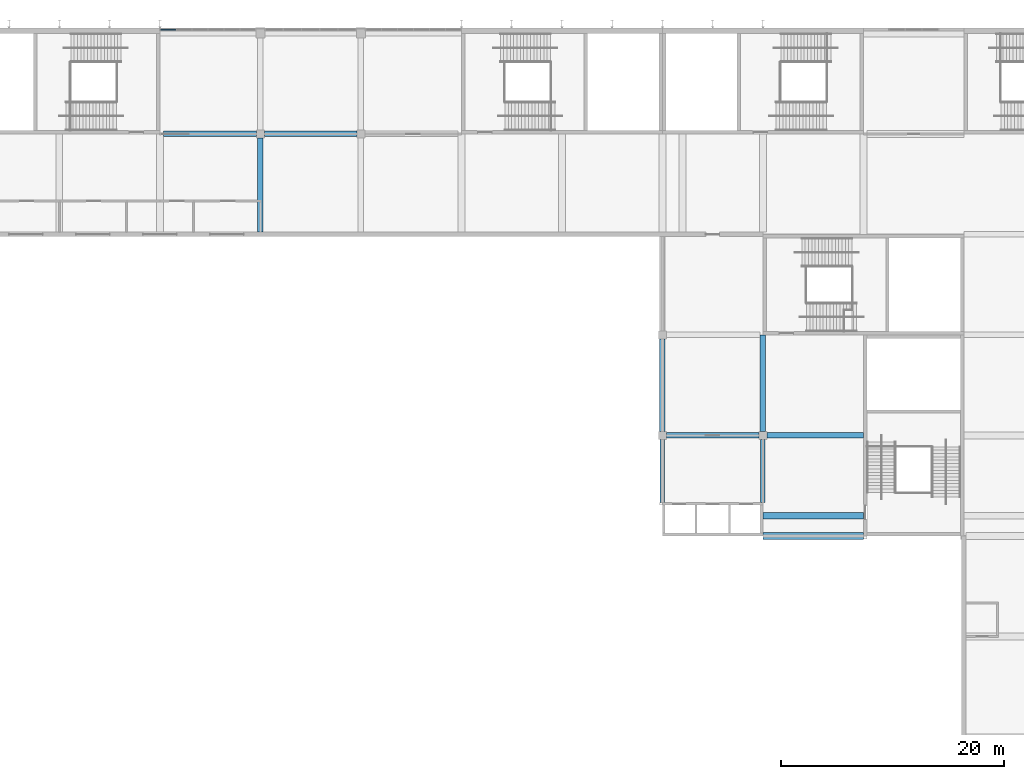
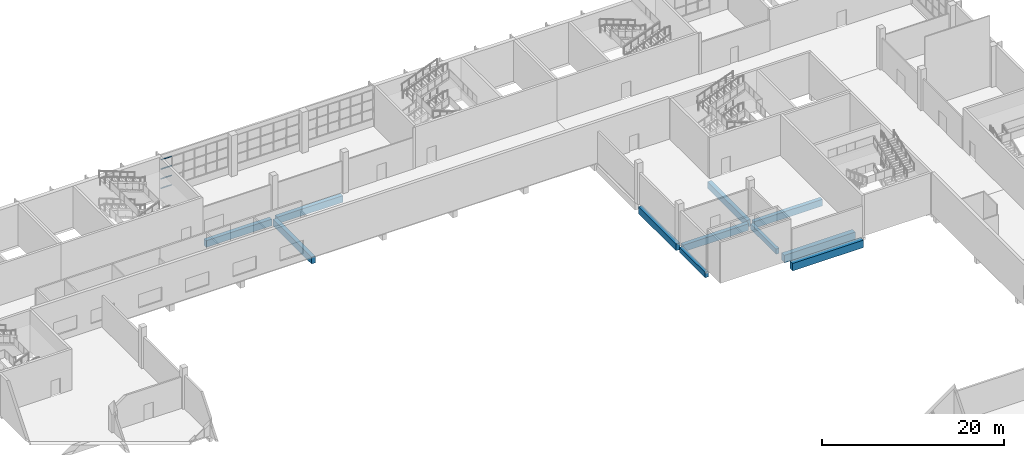
# One storey, part 17 of 84: 11 beams, 4 members, 1 element without a shape of its own.
"""IFC4 building model written with IfcOpenShell, lengths in metres."""

from ifc_helpers import new_model, si_unit, direction, frame, origin, origin_2d, place, context, subcontext, project, spatial, rectangle, extrude, material, material_profile, profile_set, type_object, element, aggregate, save


model = new_model("IFC4")

# Units and contexts
model_context = context("Model", 3, precision=1e-05, world=origin(), true_north=direction((0.0, 1.0)))
body_context = subcontext(model_context, "Body", "Model", "MODEL_VIEW")
ifc_project = project(units=[si_unit("LENGTHUNIT", "METRE"), si_unit("AREAUNIT", "SQUARE_METRE"), si_unit("VOLUMEUNIT", "CUBIC_METRE"), si_unit("PLANEANGLEUNIT", "RADIAN"), si_unit("MASSUNIT", "GRAM", prefix="KILO")], contexts=[model_context])

# Site, building, storey
site_placement = place(None, origin())
site = spatial("IfcSite", under=ifc_project, at=site_placement, CompositionType="ELEMENT")
building_placement = place(site_placement, origin())
building = spatial("IfcBuilding", under=site, at=building_placement, Name="Silverbay Arena", CompositionType="ELEMENT")
storey_placement = place(building_placement, frame((0.0, 0.0, 28.0)))
storey = spatial("IfcBuildingStorey", under=building, at=storey_placement, Name="L04", CompositionType="ELEMENT", Elevation=28.0)

# Beams
ifc_material_1 = material(Name="Concrete Grade C45", Category="concrete")
ifc_material_profile_1 = material_profile(ifc_material_1, rectangle(XDim=0.39990234375, YDim=0.699951171875, at=origin_2d()), Name="RC 400x700")
ifc_profile_set_1 = profile_set([ifc_material_profile_1], Name="Concrete Grade C45")
beam_type_1 = type_object("IfcBeamType", Name="RC beam 400x700", PredefinedType="BEAM", material=ifc_profile_set_1)
for number, where, z_axis, x_axis, name in (
    (1, (162.0, 102.0, -0.64990234375), (0.0, 1.0, 0.0), (-1.0, 0.0, 0.0), "Floor beam L04 131"),
    (2, (171.0, 102.0, -0.64990234375), (0.0, 1.0, 0.0), (-1.0, 0.0, 0.0), "Floor beam L04 140"),
):
    element("IfcBeam", number, at=place(storey_placement, frame(where, z_axis=z_axis, x_axis=x_axis)), inside=storey, type_object=beam_type_1, Name=name, PredefinedType="BEAM", context=body_context, shape_type="SweptSolid", body=[
        extrude(rectangle(XDim=0.39990234375, YDim=0.699951171875, at=origin_2d()), origin(), (0.0, 0.0, 1.0), 5.64990234375),
    ])
ifc_material_2 = material(Name="Concrete Grade C45", Category="concrete")
ifc_material_profile_2 = material_profile(ifc_material_2, rectangle(XDim=0.5, YDim=0.89990234375, at=origin_2d()), Name="RC 500x900")
ifc_profile_set_2 = profile_set([ifc_material_profile_2], Name="Concrete Grade C45")
beam_type_2 = type_object("IfcBeamType", Name="RC beam 500x900", PredefinedType="BEAM", material=ifc_profile_set_2)
beam_1_placement = place(storey_placement, frame((162.35009765625, 108.0, -0.75), z_axis=(1.0, 0.0, 0.0), x_axis=(0.0, 1.0, 0.0)))
element("IfcBeam", 3, at=beam_1_placement, inside=storey, type_object=beam_type_2, Name="Floor beam L04 054", PredefinedType="BEAM", context=body_context, shape_type="SweptSolid", body=[
    extrude(rectangle(XDim=0.5, YDim=0.89990234375, at=origin_2d()), origin(), (0.0, 0.0, 1.0), 8.2998046875),
])
beam_2_placement = place(storey_placement, frame((171.35009765625, 108.0, -0.75), z_axis=(1.0, 0.0, 0.0), x_axis=(0.0, 1.0, 0.0)))
element("IfcBeam", 4, at=beam_2_placement, inside=storey, type_object=beam_type_2, Name="Floor beam L04 055", PredefinedType="BEAM", context=body_context, shape_type="SweptSolid", body=[
    extrude(rectangle(XDim=0.5, YDim=0.89990234375, at=origin_2d()), origin(), (0.0, 0.0, 1.0), 8.64990234375),
])
beam_3_placement = place(storey_placement, frame((117.300048828125, 135.0, -0.75), z_axis=(1.0, 0.0, 0.0), x_axis=(0.0, 1.0, 0.0)))
element("IfcBeam", 5, at=beam_3_placement, inside=storey, type_object=beam_type_2, Name="Floor beam L04 068", PredefinedType="BEAM", context=body_context, shape_type="SweptSolid", body=[
    extrude(rectangle(XDim=0.5, YDim=0.89990234375, at=origin_2d()), origin(), (0.0, 0.0, 1.0), 8.349853515625),
])
beam_4_placement = place(storey_placement, frame((126.35009765625, 135.0, -0.75), z_axis=(1.0, 0.0, 0.0), x_axis=(0.0, 1.0, 0.0)))
element("IfcBeam", 6, at=beam_4_placement, inside=storey, type_object=beam_type_2, Name="Floor beam L04 069", PredefinedType="BEAM", context=body_context, shape_type="SweptSolid", body=[
    extrude(rectangle(XDim=0.5, YDim=0.89990234375, at=origin_2d()), origin(), (0.0, 0.0, 1.0), 8.2998046875),
])
beam_5_placement = place(storey_placement, frame((126.0, 126.199951171875, -0.75), z_axis=(0.0, 1.0, 0.0), x_axis=(-1.0, 0.0, 0.0)))
element("IfcBeam", 7, at=beam_5_placement, inside=storey, type_object=beam_type_2, Name="Floor beam L04 117", PredefinedType="BEAM", context=body_context, shape_type="SweptSolid", body=[
    extrude(rectangle(XDim=0.5, YDim=0.89990234375, at=origin_2d()), origin(), (0.0, 0.0, 1.0), 8.449951171875),
])
beam_6_placement = place(storey_placement, frame((162.0, 108.35009765625, -0.75), z_axis=(0.0, 1.0, 0.0), x_axis=(-1.0, 0.0, 0.0)))
element("IfcBeam", 8, at=beam_6_placement, inside=storey, type_object=beam_type_2, Name="Floor beam L04 132", PredefinedType="BEAM", context=body_context, shape_type="SweptSolid", body=[
    extrude(rectangle(XDim=0.5, YDim=0.89990234375, at=origin_2d()), origin(), (0.0, 0.0, 1.0), 8.2998046875),
])
beam_7_placement = place(storey_placement, frame((171.0, 108.35009765625, -0.75), z_axis=(0.0, 1.0, 0.0), x_axis=(-1.0, 0.0, 0.0)))
element("IfcBeam", 9, at=beam_7_placement, inside=storey, type_object=beam_type_2, Name="Floor beam L04 141", PredefinedType="BEAM", context=body_context, shape_type="SweptSolid", body=[
    extrude(rectangle(XDim=0.5, YDim=0.89990234375, at=origin_2d()), origin(), (0.0, 0.0, 1.0), 8.64990234375),
])
ifc_material_3 = material(Name="Concrete Grade C45", Category="concrete")
ifc_material_profile_3 = material_profile(ifc_material_3, rectangle(XDim=0.60009765625, YDim=1.0, at=origin_2d()), Name="RC 600x1000")
ifc_profile_set_3 = profile_set([ifc_material_profile_3], Name="Concrete Grade C45")
beam_type_3 = type_object("IfcBeamType", Name="RC beam 600x1000", PredefinedType="BEAM", material=ifc_profile_set_3)
for number, where, z_axis, x_axis, name in (
    (10, (171.0, 99.0, -0.800048828125), (1.0, 0.0, 0.0), (0.0, 1.0, 0.0), "Floor beam L04 045"),
    (11, (171.0, 100.800048828125, -0.800048828125), (1.0, 0.0, 0.0), (0.0, 1.0, 0.0), "Floor beam L04 049"),
):
    element("IfcBeam", number, at=place(storey_placement, frame(where, z_axis=z_axis, x_axis=x_axis)), inside=storey, type_object=beam_type_3, Name=name, PredefinedType="BEAM", context=body_context, shape_type="SweptSolid", body=[
        extrude(rectangle(XDim=0.60009765625, YDim=1.0, at=origin_2d()), origin(), (0.0, 0.0, 1.0), 9.0),
    ])

# Curtain wall, members
ifc_material_4 = material(Name="Aluminium framed curtain wall", Category="aluminium")
curtain_wall_type = type_object("IfcCurtainWallType", Name="Curtain wall 8600 x 3900", PredefinedType="NOTDEFINED", material=ifc_material_4)
curtain_wall_placement = place(storey_placement, origin())
curtain_wall = element("IfcCurtainWall", 12, at=curtain_wall_placement, inside=storey, type_object=curtain_wall_type, Name="North curtain wall L04 bay 8", PredefinedType="NOTDEFINED")
ifc_material_5 = material(Name="Aluminium", Category="aluminium")
ifc_material_profile_4 = material_profile(ifc_material_5, rectangle(XDim=0.1201171875, YDim=0.050048828125, at=origin_2d()), Name="Transom 50 x 120")
ifc_profile_set_4 = profile_set([ifc_material_profile_4], Name="Aluminium")
member_type = type_object("IfcMemberType", Name="Transom 50 x 120", PredefinedType="USERDEFINED", material=ifc_profile_set_4)
member_1_placement = place(storey_placement, frame((118.4033203125, 144.330078125, 1.02490234375), z_axis=(-1.0, 0.0, 0.0), x_axis=(0.0, -1.0, 0.0)))
member_1 = element("IfcMember", 13, at=member_1_placement, type_object=member_type, Name="CW1 transom 6.1", ObjectType="TRANSOM", PredefinedType="USERDEFINED", context=body_context, shape_type="SweptSolid", body=[
    extrude(rectangle(XDim=0.1201171875, YDim=0.050048828125, at=origin_2d()), origin(), (0.0, 0.0, 1.0), 1.34326171875),
])
member_2_placement = place(storey_placement, frame((118.4033203125, 144.330078125, 2.300048828125), z_axis=(-1.0, 0.0, 0.0), x_axis=(0.0, -1.0, 0.0)))
member_2 = element("IfcMember", 14, at=member_2_placement, type_object=member_type, Name="CW1 transom 6.2", ObjectType="TRANSOM", PredefinedType="USERDEFINED", context=body_context, shape_type="SweptSolid", body=[
    extrude(rectangle(XDim=0.1201171875, YDim=0.050048828125, at=origin_2d()), origin(), (0.0, 0.0, 1.0), 1.34326171875),
])
member_3_placement = place(storey_placement, frame((118.4033203125, 144.330078125, 3.60009765625), z_axis=(-1.0, 0.0, 0.0), x_axis=(0.0, -1.0, 0.0)))
member_3 = element("IfcMember", 15, at=member_3_placement, type_object=member_type, Name="CW1 transom 6.3", ObjectType="TRANSOM", PredefinedType="USERDEFINED", context=body_context, shape_type="SweptSolid", body=[
    extrude(rectangle(XDim=0.1201171875, YDim=0.050048828125, at=origin_2d()), origin(), (0.0, 0.0, 1.0), 1.34326171875),
])
member_4_placement = place(storey_placement, frame((118.4033203125, 144.330078125, 4.875), z_axis=(-1.0, 0.0, 0.0), x_axis=(0.0, -1.0, 0.0)))
member_4 = element("IfcMember", 16, at=member_4_placement, type_object=member_type, Name="CW1 transom 6.4", ObjectType="TRANSOM", PredefinedType="USERDEFINED", context=body_context, shape_type="SweptSolid", body=[
    extrude(rectangle(XDim=0.1201171875, YDim=0.050048828125, at=origin_2d()), origin(), (0.0, 0.0, 1.0), 1.34326171875),
])
aggregate(curtain_wall, [member_1, member_2, member_3, member_4])

save(model, "model.ifc")
